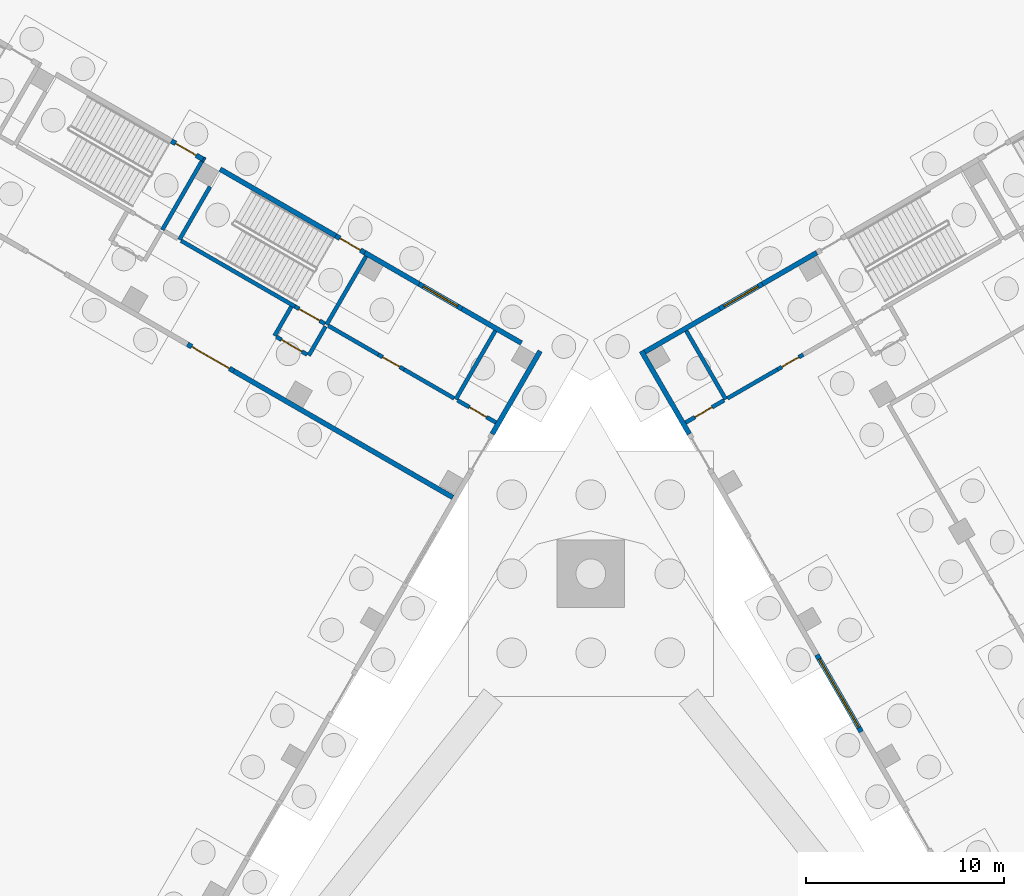
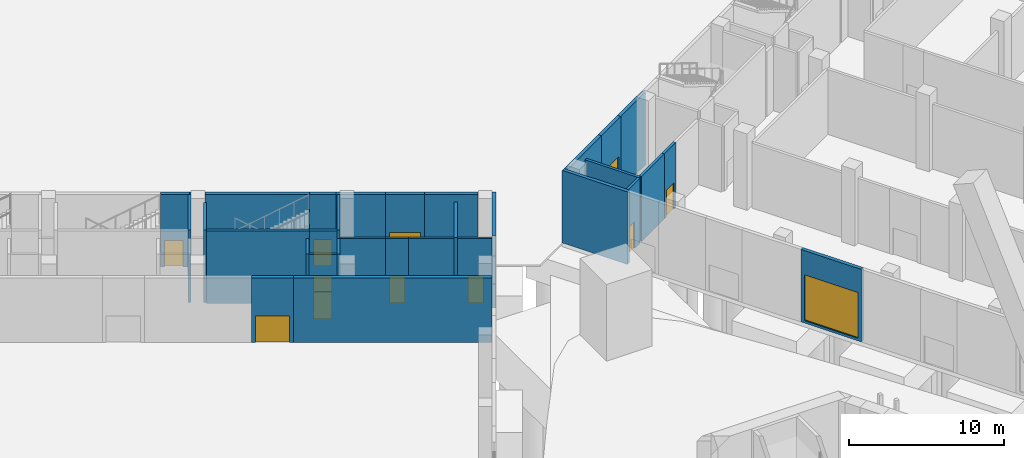
# One storey, part 19 of 38: 32 walls, 9 doors, 3 windows, 12 openings.
"""IFC4 building model written with IfcOpenShell, lengths in metres."""

from ifc_helpers import new_model, si_unit, direction, frame, frame_2d, origin, place, context, subcontext, project, spatial, rectangle, extrude, material, layer, layer_set, type_object, element, fill, save


model = new_model("IFC4")

# Units and contexts
model_context = context("Model", 3, precision=1e-05, world=origin(), true_north=direction((0.0, 1.0)))
body_context = subcontext(model_context, "Body", "Model", "MODEL_VIEW")
ifc_project = project(units=[si_unit("LENGTHUNIT", "METRE"), si_unit("AREAUNIT", "SQUARE_METRE"), si_unit("VOLUMEUNIT", "CUBIC_METRE"), si_unit("PLANEANGLEUNIT", "RADIAN"), si_unit("MASSUNIT", "GRAM", prefix="KILO")], contexts=[model_context])

# Site, building, storey
site_placement = place(None, origin())
site = spatial("IfcSite", under=ifc_project, at=site_placement, CompositionType="ELEMENT")
building_placement = place(site_placement, origin())
building = spatial("IfcBuilding", under=site, at=building_placement, Name="Mestral Congress Tower", CompositionType="ELEMENT")
storey_placement = place(building_placement, origin())
storey = spatial("IfcBuildingStorey", under=building, at=storey_placement, Name="L00", CompositionType="ELEMENT", Elevation=0.0)

# Wall, opening, window
ifc_material_1 = material(Name="Precast concrete C40/50 with limestone facing", Category="masonry")
ifc_layer_1 = layer(ifc_material_1, 0.25)
ifc_layer_set_1 = layer_set([ifc_layer_1], Name="Precast concrete C40/50 with limestone facing")
wall_type_1 = type_object("IfcWallType", Name="Podium external wall 250", PredefinedType="SOLIDWALL", material=ifc_layer_set_1)
wall_1_placement = place(storey_placement, frame((13.6875, 28.3984375, 0.0), z_axis=(0.0, 0.0, 1.0), x_axis=(-0.499990139034, 0.866031096941, 0.0)))
wall_1 = element("IfcWall", 1, at=wall_1_placement, inside=storey, type_object=wall_type_1, Name="L00 external wall", PredefinedType="SOLIDWALL", context=body_context, shape_type="SweptSolid", body=[
    extrude(rectangle(XDim=4.5, YDim=0.25, at=frame_2d((2.25, 0.0))), origin(), (0.0, 0.0, 1.0), 5.699951171875),
])
opening_1_placement = place(wall_1_placement, frame((0.25, 0.0, 0.199951171875)))
opening_1 = element("IfcOpeningElement", 2, at=opening_1_placement, cuts=wall_1, Name="Opening PW-4000x3600", PredefinedType="OPENING", context=body_context, shape_type="SweptSolid", body=[
    extrude(rectangle(XDim=4.0, YDim=3.60009765625, at=frame_2d((2.0, 1.800048828125))), frame((0.0, 0.135009765625, 0.0), z_axis=(0.0, -1.0, 0.0), x_axis=(1.0, 0.0, 0.0)), (0.0, 0.0, 1.0), 0.27001953125),
])
ifc_material_2 = material(Name="Aluminium frame, clear double glazing", Category="aluminium")
window_type_1 = type_object("IfcWindowType", Name="Podium window 4000x3600 sill 200", PartitioningType="SINGLE_PANEL", PredefinedType="WINDOW", material=ifc_material_2)
window_1_placement = place(opening_1_placement, origin())
window_1 = element("IfcWindow", 3, at=window_1_placement, inside=storey, type_object=window_type_1, Name="Window", OverallHeight=3.60009765625, OverallWidth=4.0, PartitioningType="SINGLE_PANEL", PredefinedType="WINDOW", context=body_context, shape_type="SweptSolid", body=[
    extrude(rectangle(XDim=4.0, YDim=3.60009765625, at=frame_2d((2.0, 1.800048828125))), frame((0.0, 0.030029296875, 0.0), z_axis=(0.0, -1.0, 0.0), x_axis=(1.0, 0.0, 0.0)), (0.0, 0.0, 1.0), 0.06005859375),
])
fill(opening_1, window_1)

# Walls
wall_2_placement = place(storey_placement, frame((4.987548828125, 43.46728515625, 0.0), z_axis=(0.0, 0.0, 1.0), x_axis=(-0.500010041276, 0.866019606374, 0.0)))
element("IfcWall", 4, at=wall_2_placement, inside=storey, type_object=wall_type_1, Name="L00 external wall", PredefinedType="SOLIDWALL", context=body_context, shape_type="SweptSolid", body=[
    extrude(rectangle(XDim=4.85009765625, YDim=0.25, at=frame_2d((2.425048828125, 0.0))), origin(), (0.0, 0.0, 1.0), 5.699951171875),
])
wall_3_placement = place(storey_placement, frame((2.7333984375, 47.621826171875, 0.0), z_axis=(0.0, 0.0, 1.0), x_axis=(0.866022959057, 0.500004234368, 0.0)))
element("IfcWall", 5, at=wall_3_placement, inside=storey, type_object=wall_type_1, Name="L00 external wall", PredefinedType="SOLIDWALL", context=body_context, shape_type="SweptSolid", body=[
    extrude(rectangle(XDim=4.375, YDim=0.25, at=frame_2d((2.1875, 0.0))), origin(), (0.0, 0.0, 1.0), 5.699951171875),
])

# Wall, opening, window
wall_4_placement = place(storey_placement, frame((6.522216796875, 49.809326171875, 0.0), z_axis=(0.0, 0.0, 1.0), x_axis=(0.866022959057, 0.500004234368, 0.0)))
wall_4 = element("IfcWall", 6, at=wall_4_placement, inside=storey, type_object=wall_type_1, Name="L00 external wall", PredefinedType="SOLIDWALL", context=body_context, shape_type="SweptSolid", body=[
    extrude(rectangle(XDim=2.5, YDim=0.25, at=frame_2d((1.25, 0.0))), origin(), (0.0, 0.0, 1.0), 5.699951171875),
])
opening_2_placement = place(wall_4_placement, frame((0.25, 0.0, 0.300048828125)))
opening_2 = element("IfcOpeningElement", 7, at=opening_2_placement, cuts=wall_4, Name="Opening PW-2000x2400", PredefinedType="OPENING", context=body_context, shape_type="SweptSolid", body=[
    extrude(rectangle(XDim=2.0, YDim=2.39990234375, at=frame_2d((1.0, 1.199951171875))), frame((0.0, 0.135009765625, 0.0), z_axis=(0.0, -1.0, 0.0), x_axis=(1.0, 0.0, 0.0)), (0.0, 0.0, 1.0), 0.27001953125),
])
window_type_2 = type_object("IfcWindowType", Name="Podium window 2000x2400 sill 300", PartitioningType="SINGLE_PANEL", PredefinedType="WINDOW", material=ifc_material_2)
window_2_placement = place(opening_2_placement, origin())
window_2 = element("IfcWindow", 8, at=window_2_placement, inside=storey, type_object=window_type_2, Name="Window", OverallHeight=2.39990234375, OverallWidth=2.0, PartitioningType="SINGLE_PANEL", PredefinedType="WINDOW", context=body_context, shape_type="SweptSolid", body=[
    extrude(rectangle(XDim=2.0, YDim=2.39990234375, at=frame_2d((1.0, 1.199951171875))), frame((0.0, 0.030029296875, 0.0), z_axis=(0.0, -1.0, 0.0), x_axis=(1.0, 0.0, 0.0)), (0.0, 0.0, 1.0), 0.06005859375),
])
fill(opening_2, window_2)

# Walls
wall_5_placement = place(storey_placement, frame((8.687255859375, 51.059326171875, 0.0), z_axis=(0.0, 0.0, 1.0), x_axis=(0.866048579423, 0.499959856469, 0.0)))
element("IfcWall", 9, at=wall_5_placement, inside=storey, type_object=wall_type_1, Name="L00 external wall", PredefinedType="SOLIDWALL", context=body_context, shape_type="SweptSolid", body=[
    extrude(rectangle(XDim=3.175048828125, YDim=0.25, at=frame_2d((1.58740234375, 0.0))), origin(), (0.0, 0.0, 1.0), 5.699951171875),
])
wall_6_placement = place(storey_placement, frame((-2.5625, 47.66748046875, 0.0), z_axis=(0.0, 0.0, 1.0), x_axis=(-0.500010041276, -0.866019606374, 0.0)))
element("IfcWall", 10, at=wall_6_placement, inside=storey, type_object=wall_type_1, Name="L00 external wall", PredefinedType="SOLIDWALL", context=body_context, shape_type="SweptSolid", body=[
    extrude(rectangle(XDim=4.85009765625, YDim=0.25, at=frame_2d((2.425048828125, 0.0))), origin(), (0.0, 0.0, 1.0), 5.699951171875),
])
wall_7_placement = place(storey_placement, frame((-6.522216796875, 49.80908203125, 0.0), z_axis=(0.0, 0.0, 1.0), x_axis=(0.866055725969, -0.499947476758, 0.0)))
element("IfcWall", 11, at=wall_7_placement, inside=storey, type_object=wall_type_1, Name="L00 external wall", PredefinedType="SOLIDWALL", context=body_context, shape_type="SweptSolid", body=[
    extrude(rectangle(XDim=3.474853515625, YDim=0.25, at=frame_2d((1.7373046875, 0.0))), origin(), (0.0, 0.0, 1.0), 5.699951171875),
])

# Wall, opening, window
wall_8_placement = place(storey_placement, frame((-8.687255859375, 51.05908203125, 0.0), z_axis=(0.0, 0.0, 1.0), x_axis=(0.866022959057, -0.500004234368, 0.0)))
wall_8 = element("IfcWall", 12, at=wall_8_placement, inside=storey, type_object=wall_type_1, Name="L00 external wall", PredefinedType="SOLIDWALL", context=body_context, shape_type="SweptSolid", body=[
    extrude(rectangle(XDim=2.5, YDim=0.25, at=frame_2d((1.25, 0.0))), origin(), (0.0, 0.0, 1.0), 5.699951171875),
])
opening_3_placement = place(wall_8_placement, frame((0.25, 0.0, 0.300048828125)))
opening_3 = element("IfcOpeningElement", 13, at=opening_3_placement, cuts=wall_8, Name="Opening PW-2000x2400", PredefinedType="OPENING", context=body_context, shape_type="SweptSolid", body=[
    extrude(rectangle(XDim=2.0, YDim=2.39990234375, at=frame_2d((1.0, 1.199951171875))), frame((0.0, 0.135009765625, 0.0), z_axis=(0.0, -1.0, 0.0), x_axis=(1.0, 0.0, 0.0)), (0.0, 0.0, 1.0), 0.27001953125),
])
window_3_placement = place(opening_3_placement, origin())
window_3 = element("IfcWindow", 14, at=window_3_placement, inside=storey, type_object=window_type_2, Name="Window", OverallHeight=2.39990234375, OverallWidth=2.0, PartitioningType="SINGLE_PANEL", PredefinedType="WINDOW", context=body_context, shape_type="SweptSolid", body=[
    extrude(rectangle(XDim=2.0, YDim=2.39990234375, at=frame_2d((1.0, 1.199951171875))), frame((0.0, 0.030029296875, 0.0), z_axis=(0.0, -1.0, 0.0), x_axis=(1.0, 0.0, 0.0)), (0.0, 0.0, 1.0), 0.06005859375),
])
fill(opening_3, window_3)

# Wall
wall_9_placement = place(storey_placement, frame((-11.43701171875, 52.646728515625, 0.0), z_axis=(0.0, 0.0, 1.0), x_axis=(0.866015284814, -0.500017526161, 0.0)))
element("IfcWall", 15, at=wall_9_placement, inside=storey, type_object=wall_type_1, Name="L00 external wall", PredefinedType="SOLIDWALL", context=body_context, shape_type="SweptSolid", body=[
    extrude(rectangle(XDim=3.17529296875, YDim=0.25, at=frame_2d((1.587646484375, 0.0))), origin(), (0.0, 0.0, 1.0), 5.699951171875),
])

# Wall, opening, door
wall_10_placement = place(storey_placement, frame((-12.9091796875, 53.49658203125, 0.0), z_axis=(0.0, 0.0, 1.0), x_axis=(0.86605165483, -0.499954529098, 0.0)))
wall_10 = element("IfcWall", 16, at=wall_10_placement, inside=storey, type_object=wall_type_1, Name="L00 external wall", PredefinedType="SOLIDWALL", context=body_context, shape_type="SweptSolid", body=[
    extrude(rectangle(XDim=1.699951171875, YDim=0.25, at=frame_2d((0.85009765625, 0.0))), origin(), (0.0, 0.0, 1.0), 5.699951171875),
])
opening_4_placement = place(wall_10_placement, frame((0.25, 0.0, 0.0)))
opening_4 = element("IfcOpeningElement", 17, at=opening_4_placement, cuts=wall_10, Name="Opening P00-313", PredefinedType="OPENING", context=body_context, shape_type="SweptSolid", body=[
    extrude(rectangle(XDim=1.199951171875, YDim=2.10009765625, at=frame_2d((0.60009765625, 1.050048828125))), frame((0.0, 0.135009765625, 0.0), z_axis=(0.0, -1.0, 0.0), x_axis=(1.0, 0.0, 0.0)), (0.0, 0.0, 1.0), 0.27001953125),
])
ifc_material_3 = material(Name="Steel and glass door set", Category="steel")
door_type_1 = type_object("IfcDoorType", Name="Podium exit door 1200x2100", OperationType="SINGLE_SWING_LEFT", PredefinedType="DOOR", material=ifc_material_3)
door_1_placement = place(opening_4_placement, origin())
door_1 = element("IfcDoor", 18, at=door_1_placement, inside=storey, type_object=door_type_1, Name="Door P00-313", OperationType="SINGLE_SWING_LEFT", OverallHeight=2.10009765625, OverallWidth=1.199951171875, PredefinedType="DOOR", context=body_context, shape_type="SweptSolid", body=[
    extrude(rectangle(XDim=1.199951171875, YDim=2.10009765625, at=frame_2d((0.60009765625, 1.050048828125))), frame((0.0, 0.02490234375, 0.0), z_axis=(0.0, -1.0, 0.0), x_axis=(1.0, 0.0, 0.0)), (0.0, 0.0, 1.0), 0.050048828125),
])
fill(opening_4, door_1)

# Wall
wall_11_placement = place(storey_placement, frame((-18.7548828125, 56.87158203125, 0.0), z_axis=(0.0, 0.0, 1.0), x_axis=(0.866026575979, -0.499997969693, 0.0)))
element("IfcWall", 19, at=wall_11_placement, inside=storey, type_object=wall_type_1, Name="L00 external wall", PredefinedType="SOLIDWALL", context=body_context, shape_type="SweptSolid", body=[
    extrude(rectangle(XDim=6.75, YDim=0.25, at=frame_2d((3.375, 0.0))), origin(), (0.0, 0.0, 1.0), 5.699951171875),
])

# Wall, opening, door
wall_12_placement = place(storey_placement, frame((-21.222900390625, 58.296630859375, 0.0), z_axis=(0.0, 0.0, 1.0), x_axis=(0.866000971088, -0.500042316284, 0.0)))
wall_12 = element("IfcWall", 20, at=wall_12_placement, inside=storey, type_object=wall_type_1, Name="L00 external wall", PredefinedType="SOLIDWALL", context=body_context, shape_type="SweptSolid", body=[
    extrude(rectangle(XDim=1.849853515625, YDim=0.25, at=frame_2d((0.9248046875, 0.0))), origin(), (0.0, 0.0, 1.0), 5.699951171875),
])
opening_5_placement = place(wall_12_placement, frame((0.25, 0.0, 0.0)))
opening_5 = element("IfcOpeningElement", 21, at=opening_5_placement, cuts=wall_12, Name="Opening P00-314", PredefinedType="OPENING", context=body_context, shape_type="SweptSolid", body=[
    extrude(rectangle(XDim=1.199951171875, YDim=2.10009765625, at=frame_2d((0.60009765625, 1.050048828125))), frame((0.0, 0.135009765625, 0.0), z_axis=(0.0, -1.0, 0.0), x_axis=(1.0, 0.0, 0.0)), (0.0, 0.0, 1.0), 0.27001953125),
])
door_2_placement = place(opening_5_placement, origin())
door_2 = element("IfcDoor", 22, at=door_2_placement, inside=storey, type_object=door_type_1, Name="Door P00-314", OperationType="SINGLE_SWING_LEFT", OverallHeight=2.10009765625, OverallWidth=1.199951171875, PredefinedType="DOOR", context=body_context, shape_type="SweptSolid", body=[
    extrude(rectangle(XDim=1.199951171875, YDim=2.10009765625, at=frame_2d((0.60009765625, 1.050048828125))), frame((0.0, 0.02490234375, 0.0), z_axis=(0.0, -1.0, 0.0), x_axis=(1.0, 0.0, 0.0)), (0.0, 0.0, 1.0), 0.050048828125),
])
fill(opening_5, door_2)

# Walls
wall_13_placement = place(storey_placement, frame((-19.620849609375, 57.37158203125, 0.0), z_axis=(0.0, 0.0, 1.0), x_axis=(0.867038199201, -0.4982416694, 0.0)))
element("IfcWall", 23, at=wall_13_placement, inside=storey, type_object=wall_type_1, Name="L00 external wall", PredefinedType="SOLIDWALL", context=body_context, shape_type="SweptSolid", body=[
    extrude(rectangle(XDim=0.099853515625, YDim=0.25, at=frame_2d((0.0498046875, 0.0))), origin(), (0.0, 0.0, 1.0), 5.699951171875),
])
ifc_material_4 = material(Name="Masonry block wall", Category="masonry")
ifc_layer_2 = layer(ifc_material_4, 0.25)
ifc_layer_set_2 = layer_set([ifc_layer_2], Name="Masonry block wall")
wall_type_2 = type_object("IfcWallType", Name="Podium hall wall 250 EI 180", PredefinedType="SOLIDWALL", material=ifc_layer_set_2)
wall_14_placement = place(storey_placement, frame((-6.9833984375, 40.260498046875, 0.0), z_axis=(0.0, 0.0, 1.0), x_axis=(-0.866025499775, 0.499999833739, 0.0)))
element("IfcWall", 24, at=wall_14_placement, inside=storey, type_object=wall_type_2, Name="L00 partition", PredefinedType="SOLIDWALL", context=body_context, shape_type="SweptSolid", body=[
    extrude(rectangle(XDim=12.7998046875, YDim=0.25, at=frame_2d((6.39990234375, 0.0))), origin(), (0.0, 0.0, 1.0), 5.10009765625),
])

# Wall, opening, door
wall_15_placement = place(storey_placement, frame((-20.40673828125, 48.010498046875, 0.0), z_axis=(0.0, 0.0, 1.0), x_axis=(0.866019956843, -0.50000943426, 0.0)))
wall_15 = element("IfcWall", 25, at=wall_15_placement, inside=storey, type_object=wall_type_2, Name="L00 partition", PredefinedType="SOLIDWALL", context=body_context, shape_type="SweptSolid", body=[
    extrude(rectangle(XDim=2.7001953125, YDim=0.25, at=frame_2d((1.35009765625, 0.0))), origin(), (0.0, 0.0, 1.0), 5.10009765625),
])
opening_6_placement = place(wall_15_placement, frame((0.25, 0.0, 0.0)))
opening_6 = element("IfcOpeningElement", 26, at=opening_6_placement, cuts=wall_15, Name="Opening P00-335", PredefinedType="OPENING", context=body_context, shape_type="SweptSolid", body=[
    extrude(rectangle(XDim=2.199951171875, YDim=2.10009765625, at=frame_2d((1.10009765625, 1.050048828125))), frame((0.0, 0.135009765625, 0.0), z_axis=(0.0, -1.0, 0.0), x_axis=(1.0, 0.0, 0.0)), (0.0, 0.0, 1.0), 0.27001953125),
])
ifc_material_5 = material(Name="Fire-rated steel door set", Category="steel")
door_type_2 = type_object("IfcDoorType", Name="Podium hall door 2200x2100 EI2 90-C5", OperationType="DOUBLE_DOOR_SINGLE_SWING", PredefinedType="DOOR", material=ifc_material_5)
door_3_placement = place(opening_6_placement, origin())
door_3 = element("IfcDoor", 27, at=door_3_placement, inside=storey, type_object=door_type_2, Name="Door P00-335", OperationType="DOUBLE_DOOR_SINGLE_SWING", OverallHeight=2.10009765625, OverallWidth=2.199951171875, PredefinedType="DOOR", context=body_context, shape_type="SweptSolid", body=[
    extrude(rectangle(XDim=2.199951171875, YDim=2.10009765625, at=frame_2d((1.10009765625, 1.050048828125))), frame((0.0, 0.02490234375, 0.0), z_axis=(0.0, -1.0, 0.0), x_axis=(1.0, 0.0, 0.0)), (0.0, 0.0, 1.0), 0.050048828125),
])
fill(opening_6, door_3)

# Walls
ifc_layer_3 = layer(ifc_material_4, 0.199951171875)
ifc_layer_set_3 = layer_set([ifc_layer_3], Name="Masonry block wall")
wall_type_3 = type_object("IfcWallType", Name="Podium stair enclosure wall 200 EI 120 load-bearing", PredefinedType="SOLIDWALL", material=ifc_layer_set_3)
wall_16_placement = place(storey_placement, frame((-11.369384765625, 52.46337890625, 0.0), z_axis=(0.0, 0.0, 1.0), x_axis=(-0.50002537861, -0.866010750942, 0.0)))
element("IfcWall", 28, at=wall_16_placement, inside=storey, type_object=wall_type_3, Name="L00 partition", PredefinedType="SOLIDWALL", context=body_context, shape_type="SweptSolid", body=[
    extrude(rectangle(XDim=3.999755859375, YDim=0.199951171875, at=frame_2d((2.0, 0.0))), origin(), (0.0, 0.0, 1.0), 5.699951171875),
])
wall_17_placement = place(storey_placement, frame((-19.267333984375, 55.984130859375, 0.0), z_axis=(0.0, 0.0, 1.0), x_axis=(-0.49999285859, -0.86602952684, 0.0)))
element("IfcWall", 29, at=wall_17_placement, inside=storey, type_object=wall_type_3, Name="L00 partition", PredefinedType="SOLIDWALL", context=body_context, shape_type="SweptSolid", body=[
    extrude(rectangle(XDim=3.10009765625, YDim=0.199951171875, at=frame_2d((1.550048828125, 0.0))), origin(), (0.0, 0.0, 1.0), 5.699951171875),
])
wall_18_placement = place(storey_placement, frame((-19.683349609375, 57.263427734375, 0.0), z_axis=(0.0, 0.0, 1.0), x_axis=(-0.49999894854, -0.866026010844, 0.0)))
element("IfcWall", 30, at=wall_18_placement, inside=storey, type_object=wall_type_3, Name="L00 partition", PredefinedType="SOLIDWALL", context=body_context, shape_type="SweptSolid", body=[
    extrude(rectangle(XDim=4.0, YDim=0.199951171875, at=frame_2d((2.0, 0.0))), origin(), (0.0, 0.0, 1.0), 5.699951171875),
])

# Wall, opening, door
wall_19_placement = place(storey_placement, frame((-14.9716796875, 49.92431640625, 0.0), z_axis=(0.0, 0.0, 1.0), x_axis=(0.866036909293, -0.499980071345, 0.0)))
wall_19 = element("IfcWall", 31, at=wall_19_placement, inside=storey, type_object=wall_type_3, Name="L00 partition", PredefinedType="SOLIDWALL", context=body_context, shape_type="SweptSolid", body=[
    extrude(rectangle(XDim=1.75, YDim=0.199951171875, at=frame_2d((0.875, 0.0))), origin(), (0.0, 0.0, 1.0), 5.699951171875),
])
opening_7_placement = place(wall_19_placement, frame((0.25, 0.0, 0.0)))
opening_7 = element("IfcOpeningElement", 32, at=opening_7_placement, cuts=wall_19, Name="Opening P00-319", PredefinedType="OPENING", context=body_context, shape_type="SweptSolid", body=[
    extrude(rectangle(XDim=1.199951171875, YDim=2.10009765625, at=frame_2d((0.60009765625, 1.050048828125))), frame((0.0, 0.10986328125, 0.0), z_axis=(0.0, -1.0, 0.0), x_axis=(1.0, 0.0, 0.0)), (0.0, 0.0, 1.0), 0.219970703125),
])
door_type_3 = type_object("IfcDoorType", Name="Podium stair door 1200x2100 EI2 30-C5", OperationType="SINGLE_SWING_LEFT", PredefinedType="DOOR", material=ifc_material_5)
door_4_placement = place(opening_7_placement, origin())
door_4 = element("IfcDoor", 33, at=door_4_placement, inside=storey, type_object=door_type_3, Name="Door P00-319", OperationType="SINGLE_SWING_LEFT", OverallHeight=2.10009765625, OverallWidth=1.199951171875, PredefinedType="DOOR", context=body_context, shape_type="SweptSolid", body=[
    extrude(rectangle(XDim=1.199951171875, YDim=2.10009765625, at=frame_2d((0.60009765625, 1.050048828125))), frame((0.0, 0.02490234375, 0.0), z_axis=(0.0, -1.0, 0.0), x_axis=(1.0, 0.0, 0.0)), (0.0, 0.0, 1.0), 0.050048828125),
])
fill(opening_7, door_4)

# Walls
wall_20_placement = place(storey_placement, frame((-14.9716796875, 49.92431640625, 0.0), z_axis=(0.0, 0.0, 1.0), x_axis=(-0.86601134256, 0.500024353964, 0.0)))
element("IfcWall", 34, at=wall_20_placement, inside=storey, type_object=wall_type_3, Name="L00 partition", PredefinedType="SOLIDWALL", context=body_context, shape_type="SweptSolid", body=[
    extrude(rectangle(XDim=6.650146484375, YDim=0.199951171875, at=frame_2d((3.3251953125, 0.0))), origin(), (0.0, 0.0, 1.0), 5.699951171875),
])
ifc_material_6 = material(Name="Fire-rated board partition")
ifc_layer_4 = layer(ifc_material_6, 0.199951171875)
ifc_layer_set_4 = layer_set([ifc_layer_4], Name="Fire-rated board partition")
wall_type_4 = type_object("IfcWallType", Name="Podium vestibule wall 200 EI 120", PredefinedType="PARTITIONING", material=ifc_layer_set_4)
wall_21_placement = place(storey_placement, frame((6.8310546875, 45.224365234375, 0.0), z_axis=(0.0, 0.0, 1.0), x_axis=(-0.49999894854, 0.866026010844, 0.0)))
element("IfcWall", 35, at=wall_21_placement, inside=storey, type_object=wall_type_4, Name="L00 partition", PredefinedType="PARTITIONING", context=body_context, shape_type="SweptSolid", body=[
    extrude(rectangle(XDim=4.0, YDim=0.199951171875, at=frame_2d((2.0, 0.0))), origin(), (0.0, 0.0, 1.0), 5.10009765625),
])

# Wall, opening, door
wall_22_placement = place(storey_placement, frame((4.7958984375, 44.04931640625, 0.0), z_axis=(0.0, 0.0, 1.0), x_axis=(0.866017533419, 0.500013631625, 0.0)))
wall_22 = element("IfcWall", 36, at=wall_22_placement, inside=storey, type_object=wall_type_4, Name="L00 partition", PredefinedType="PARTITIONING", context=body_context, shape_type="SweptSolid", body=[
    extrude(rectangle(XDim=2.25, YDim=0.199951171875, at=frame_2d((1.125, 0.0))), origin(), (0.0, 0.0, 1.0), 5.10009765625),
])
opening_8_placement = place(wall_22_placement, frame((0.550048828125, 0.0, 0.0)))
opening_8 = element("IfcOpeningElement", 37, at=opening_8_placement, cuts=wall_22, Name="Opening P00-040", PredefinedType="OPENING", context=body_context, shape_type="SweptSolid", body=[
    extrude(rectangle(XDim=1.0, YDim=2.10009765625, at=frame_2d((0.5, 1.050048828125))), frame((0.0, 0.10986328125, 0.0), z_axis=(0.0, -1.0, 0.0), x_axis=(1.0, 0.0, 0.0)), (0.0, 0.0, 1.0), 0.219970703125),
])
door_type_4 = type_object("IfcDoorType", Name="Podium room door 1000x2100 EI2 30-C5", OperationType="SINGLE_SWING_LEFT", PredefinedType="DOOR", material=ifc_material_5)
door_5_placement = place(opening_8_placement, origin())
door_5 = element("IfcDoor", 38, at=door_5_placement, inside=storey, type_object=door_type_4, Name="Door P00-040", OperationType="SINGLE_SWING_LEFT", OverallHeight=2.10009765625, OverallWidth=1.0, PredefinedType="DOOR", context=body_context, shape_type="SweptSolid", body=[
    extrude(rectangle(XDim=1.0, YDim=2.10009765625, at=frame_2d((0.5, 1.050048828125))), frame((0.0, 0.02490234375, 0.0), z_axis=(0.0, -1.0, 0.0), x_axis=(1.0, 0.0, 0.0)), (0.0, 0.0, 1.0), 0.050048828125),
])
fill(opening_8, door_5)

# Wall
wall_23_placement = place(storey_placement, frame((6.91748046875, 45.2744140625, 0.0), z_axis=(0.0, 0.0, 1.0), x_axis=(0.866046596414, 0.499963291492, 0.0)))
element("IfcWall", 39, at=wall_23_placement, inside=storey, type_object=wall_type_4, Name="L00 partition", PredefinedType="PARTITIONING", context=body_context, shape_type="SweptSolid", body=[
    extrude(rectangle(XDim=2.925048828125, YDim=0.199951171875, at=frame_2d((1.46240234375, 0.0))), origin(), (0.0, 0.0, 1.0), 5.10009765625),
])

# Wall, opening, door
wall_24_placement = place(storey_placement, frame((9.45068359375, 46.73681640625, 0.0), z_axis=(0.0, 0.0, 1.0), x_axis=(0.866031096941, 0.499990139034, 0.0)))
wall_24 = element("IfcWall", 40, at=wall_24_placement, inside=storey, type_object=wall_type_4, Name="L00 partition", PredefinedType="PARTITIONING", context=body_context, shape_type="SweptSolid", body=[
    extrude(rectangle(XDim=1.5, YDim=0.199951171875, at=frame_2d((0.75, 0.0))), origin(), (0.0, 0.0, 1.0), 5.10009765625),
])
opening_9_placement = place(wall_24_placement, frame((0.25, 0.0, 0.0)))
opening_9 = element("IfcOpeningElement", 41, at=opening_9_placement, cuts=wall_24, Name="Opening P00-055", PredefinedType="OPENING", context=body_context, shape_type="SweptSolid", body=[
    extrude(rectangle(XDim=1.0, YDim=2.10009765625, at=frame_2d((0.5, 1.050048828125))), frame((0.0, 0.10986328125, 0.0), z_axis=(0.0, -1.0, 0.0), x_axis=(1.0, 0.0, 0.0)), (0.0, 0.0, 1.0), 0.219970703125),
])
door_6_placement = place(opening_9_placement, origin())
door_6 = element("IfcDoor", 42, at=door_6_placement, inside=storey, type_object=door_type_4, Name="Door P00-055", OperationType="SINGLE_SWING_LEFT", OverallHeight=2.10009765625, OverallWidth=1.0, PredefinedType="DOOR", context=body_context, shape_type="SweptSolid", body=[
    extrude(rectangle(XDim=1.0, YDim=2.10009765625, at=frame_2d((0.5, 1.050048828125))), frame((0.0, 0.02490234375, 0.0), z_axis=(0.0, -1.0, 0.0), x_axis=(1.0, 0.0, 0.0)), (0.0, 0.0, 1.0), 0.050048828125),
])
fill(opening_9, door_6)

# Walls
wall_25_placement = place(storey_placement, frame((-13.41943359375, 48.912841796875, 0.0), z_axis=(0.0, 0.0, 1.0), x_axis=(-0.500000056704, -0.866025371046, 0.0)))
element("IfcWall", 43, at=wall_25_placement, inside=storey, type_object=wall_type_4, Name="L00 partition", PredefinedType="PARTITIONING", context=body_context, shape_type="SweptSolid", body=[
    extrude(rectangle(XDim=1.7001953125, YDim=0.199951171875, at=frame_2d((0.85009765625, 0.0))), origin(), (0.0, 0.0, 1.0), 5.10009765625),
])
wall_26_placement = place(storey_placement, frame((-15.151611328125, 49.912841796875, 0.0), z_axis=(0.0, 0.0, 1.0), x_axis=(-0.499892348375, -0.866087547558, 0.0)))
element("IfcWall", 44, at=wall_26_placement, inside=storey, type_object=wall_type_4, Name="L00 partition", PredefinedType="PARTITIONING", context=body_context, shape_type="SweptSolid", body=[
    extrude(rectangle(XDim=1.699951171875, YDim=0.199951171875, at=frame_2d((0.85009765625, 0.0))), origin(), (0.0, 0.0, 1.0), 5.10009765625),
])

# Wall, opening, door
wall_27_placement = place(storey_placement, frame((-15.914794921875, 48.390380859375, 0.0), z_axis=(0.0, 0.0, 1.0), x_axis=(0.866013897511, -0.50001992892, 0.0)))
wall_27 = element("IfcWall", 45, at=wall_27_placement, inside=storey, type_object=wall_type_4, Name="L00 partition", PredefinedType="PARTITIONING", context=body_context, shape_type="SweptSolid", body=[
    extrude(rectangle(XDim=1.7998046875, YDim=0.199951171875, at=frame_2d((0.89990234375, 0.0))), origin(), (0.0, 0.0, 1.0), 5.10009765625),
])
opening_10_placement = place(wall_27_placement, frame((0.300048828125, 0.0, 0.0)))
opening_10 = element("IfcOpeningElement", 46, at=opening_10_placement, cuts=wall_27, Name="Opening P00-329", PredefinedType="OPENING", context=body_context, shape_type="SweptSolid", body=[
    extrude(rectangle(XDim=1.199951171875, YDim=2.10009765625, at=frame_2d((0.60009765625, 1.050048828125))), frame((0.0, 0.10986328125, 0.0), z_axis=(0.0, -1.0, 0.0), x_axis=(1.0, 0.0, 0.0)), (0.0, 0.0, 1.0), 0.219970703125),
])
door_type_5 = type_object("IfcDoorType", Name="Podium vestibule door 1200x2100 EI2 30-C5", OperationType="SINGLE_SWING_LEFT", PredefinedType="DOOR", material=ifc_material_5)
door_7_placement = place(opening_10_placement, origin())
door_7 = element("IfcDoor", 47, at=door_7_placement, inside=storey, type_object=door_type_5, Name="Door P00-329", OperationType="SINGLE_SWING_LEFT", OverallHeight=2.10009765625, OverallWidth=1.199951171875, PredefinedType="DOOR", context=body_context, shape_type="SweptSolid", body=[
    extrude(rectangle(XDim=1.199951171875, YDim=2.10009765625, at=frame_2d((0.60009765625, 1.050048828125))), frame((0.0, 0.02490234375, 0.0), z_axis=(0.0, -1.0, 0.0), x_axis=(1.0, 0.0, 0.0)), (0.0, 0.0, 1.0), 0.050048828125),
])
fill(opening_10, door_7)

# Wall
wall_28_placement = place(storey_placement, frame((-4.8310546875, 48.6884765625, 0.0), z_axis=(0.0, 0.0, 1.0), x_axis=(-0.49999894854, -0.866026010844, 0.0)))
element("IfcWall", 48, at=wall_28_placement, inside=storey, type_object=wall_type_4, Name="L00 partition", PredefinedType="PARTITIONING", context=body_context, shape_type="SweptSolid", body=[
    extrude(rectangle(XDim=4.0, YDim=0.199951171875, at=frame_2d((2.0, 0.0))), origin(), (0.0, 0.0, 1.0), 5.10009765625),
])

# Wall, opening, door
wall_29_placement = place(storey_placement, frame((-6.744384765625, 45.17431640625, 0.0), z_axis=(0.0, 0.0, 1.0), x_axis=(0.866017533419, -0.500013631625, 0.0)))
wall_29 = element("IfcWall", 49, at=wall_29_placement, inside=storey, type_object=wall_type_4, Name="L00 partition", PredefinedType="PARTITIONING", context=body_context, shape_type="SweptSolid", body=[
    extrude(rectangle(XDim=2.25, YDim=0.199951171875, at=frame_2d((1.125, 0.0))), origin(), (0.0, 0.0, 1.0), 5.10009765625),
])
opening_11_placement = place(wall_29_placement, frame((0.699951171875, 0.0, 0.0)))
opening_11 = element("IfcOpeningElement", 50, at=opening_11_placement, cuts=wall_29, Name="Opening P00-341", PredefinedType="OPENING", context=body_context, shape_type="SweptSolid", body=[
    extrude(rectangle(XDim=1.0, YDim=2.10009765625, at=frame_2d((0.5, 1.050048828125))), frame((0.0, 0.10986328125, 0.0), z_axis=(0.0, -1.0, 0.0), x_axis=(1.0, 0.0, 0.0)), (0.0, 0.0, 1.0), 0.219970703125),
])
door_8_placement = place(opening_11_placement, origin())
door_8 = element("IfcDoor", 51, at=door_8_placement, inside=storey, type_object=door_type_4, Name="Door P00-341", OperationType="SINGLE_SWING_LEFT", OverallHeight=2.10009765625, OverallWidth=1.0, PredefinedType="DOOR", context=body_context, shape_type="SweptSolid", body=[
    extrude(rectangle(XDim=1.0, YDim=2.10009765625, at=frame_2d((0.5, 1.050048828125))), frame((0.0, 0.02490234375, 0.0), z_axis=(0.0, -1.0, 0.0), x_axis=(1.0, 0.0, 0.0)), (0.0, 0.0, 1.0), 0.050048828125),
])
fill(opening_11, door_8)

# Wall
wall_30_placement = place(storey_placement, frame((-6.91748046875, 45.2744140625, 0.0), z_axis=(0.0, 0.0, 1.0), x_axis=(-0.866046596414, 0.499963291492, 0.0)))
element("IfcWall", 52, at=wall_30_placement, inside=storey, type_object=wall_type_4, Name="L00 partition", PredefinedType="PARTITIONING", context=body_context, shape_type="SweptSolid", body=[
    extrude(rectangle(XDim=2.925048828125, YDim=0.199951171875, at=frame_2d((1.46240234375, 0.0))), origin(), (0.0, 0.0, 1.0), 5.10009765625),
])

# Wall, opening, door
wall_31_placement = place(storey_placement, frame((-10.749755859375, 47.48681640625, 0.0), z_axis=(0.0, 0.0, 1.0), x_axis=(0.866031096941, -0.499990139034, 0.0)))
wall_31 = element("IfcWall", 53, at=wall_31_placement, inside=storey, type_object=wall_type_4, Name="L00 partition", PredefinedType="PARTITIONING", context=body_context, shape_type="SweptSolid", body=[
    extrude(rectangle(XDim=1.5, YDim=0.199951171875, at=frame_2d((0.75, 0.0))), origin(), (0.0, 0.0, 1.0), 5.10009765625),
])
opening_12_placement = place(wall_31_placement, frame((0.25, 0.0, 0.0)))
opening_12 = element("IfcOpeningElement", 54, at=opening_12_placement, cuts=wall_31, Name="Opening P00-347", PredefinedType="OPENING", context=body_context, shape_type="SweptSolid", body=[
    extrude(rectangle(XDim=1.0, YDim=2.10009765625, at=frame_2d((0.5, 1.050048828125))), frame((0.0, 0.10986328125, 0.0), z_axis=(0.0, -1.0, 0.0), x_axis=(1.0, 0.0, 0.0)), (0.0, 0.0, 1.0), 0.219970703125),
])
door_9_placement = place(opening_12_placement, origin())
door_9 = element("IfcDoor", 55, at=door_9_placement, inside=storey, type_object=door_type_4, Name="Door P00-347", OperationType="SINGLE_SWING_LEFT", OverallHeight=2.10009765625, OverallWidth=1.0, PredefinedType="DOOR", context=body_context, shape_type="SweptSolid", body=[
    extrude(rectangle(XDim=1.0, YDim=2.10009765625, at=frame_2d((0.5, 1.050048828125))), frame((0.0, 0.02490234375, 0.0), z_axis=(0.0, -1.0, 0.0), x_axis=(1.0, 0.0, 0.0)), (0.0, 0.0, 1.0), 0.050048828125),
])
fill(opening_12, door_9)

# Wall
wall_32_placement = place(storey_placement, frame((-10.749755859375, 47.48681640625, 0.0), z_axis=(0.0, 0.0, 1.0), x_axis=(-0.86601045545, 0.500025890382, 0.0)))
element("IfcWall", 56, at=wall_32_placement, inside=storey, type_object=wall_type_4, Name="L00 partition", PredefinedType="PARTITIONING", context=body_context, shape_type="SweptSolid", body=[
    extrude(rectangle(XDim=2.925048828125, YDim=0.199951171875, at=frame_2d((1.46240234375, 0.0))), origin(), (0.0, 0.0, 1.0), 5.10009765625),
])

save(model, "model.ifc")
